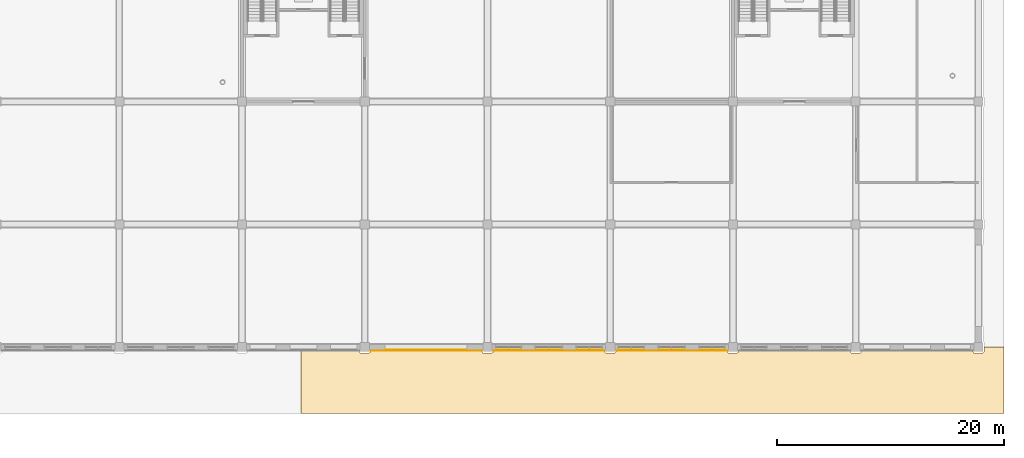
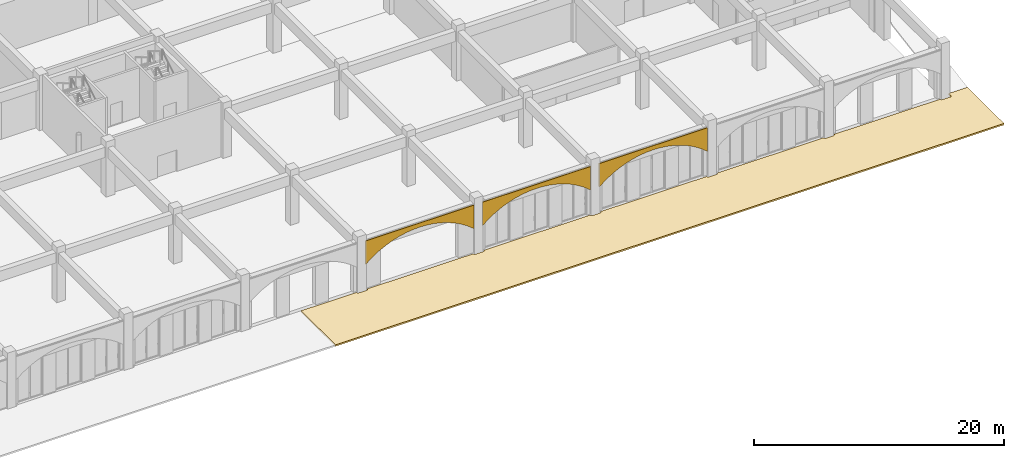
# One storey, part 91 of 101: 4 coverings.
"""IFC4 building model written with IfcOpenShell, lengths in metres."""

from ifc_helpers import new_model, si_unit, direction, frame, origin, place, context, subcontext, project, spatial, polyline, outline, extrude, material, layer, layer_set, type_object, element, save


model = new_model("IFC4")

# Units and contexts
model_context = context("Model", 3, precision=1e-05, world=origin(), true_north=direction((0.0, 1.0)))
body_context = subcontext(model_context, "Body", "Model", "MODEL_VIEW")
ifc_project = project(units=[si_unit("LENGTHUNIT", "METRE"), si_unit("AREAUNIT", "SQUARE_METRE"), si_unit("VOLUMEUNIT", "CUBIC_METRE"), si_unit("PLANEANGLEUNIT", "RADIAN"), si_unit("MASSUNIT", "GRAM", prefix="KILO")], contexts=[model_context])

# Site, building, storey
site_placement = place(None, origin())
site = spatial("IfcSite", under=ifc_project, at=site_placement, CompositionType="ELEMENT")
building_placement = place(site_placement, origin())
building = spatial("IfcBuilding", under=site, at=building_placement, Name="Magnolia Steps Interchange", CompositionType="ELEMENT")
storey_placement = place(building_placement, frame((0.0, 0.0, -5.39990234375)))
storey = spatial("IfcBuildingStorey", under=building, at=storey_placement, Name="B1", CompositionType="ELEMENT", Elevation=-5.39990234375)

# Coverings
ifc_material_1 = material(Name="Lime render")
ifc_layer_1 = layer(ifc_material_1, 0.080078125)
ifc_layer_set_1 = layer_set([ifc_layer_1], Name="Lime render arch infill")
covering_type_1 = type_object("IfcCoveringType", Name="Lime render arch infill", PredefinedType="CLADDING", material=ifc_layer_set_1)
for number, where, z_axis, x_axis, name in (
    (1, (140.0, 9.77490234375, 2.39990234375), (0.0, 1.0, 0.0), (0.0, 0.0, 1.0), "Arch spandrel south edge 10"),
    (2, (150.800048828125, 9.77490234375, 2.39990234375), (0.0, 1.0, 0.0), (0.0, 0.0, 1.0), "Arch spandrel south edge 11"),
    (3, (161.60009765625, 9.77490234375, 2.39990234375), (0.0, 1.0, 0.0), (0.0, 0.0, 1.0), "Arch spandrel south edge 12"),
):
    element("IfcCovering", number, at=place(storey_placement, frame(where, z_axis=z_axis, x_axis=x_axis)), inside=storey, type_object=covering_type_1, Name=name, PredefinedType="CLADDING", context=body_context, shape_type="SweptSolid", body=[
        extrude(outline(polyline([(0.0, 0.0), (2.300048828, 0.0), (2.300048828, 10.0), (0.0, 10.0), (0.498291016, 9.375), (0.899658203, 8.75), (1.220703125, 8.125), (1.472900391, 7.5), (1.662841797, 6.875), (1.795410156, 6.25), (1.874023438, 5.625), (1.899902344, 5.0), (1.874023438, 4.375), (1.795410156, 3.75), (1.662841797, 3.125), (1.472900391, 2.5), (1.220703125, 1.875), (0.899658203, 1.25), (0.498291016, 0.625), (0.0, 0.0)])), origin(), (0.0, 0.0, -1.0), 0.080078125),
    ])
ifc_material_2 = material(Name="Natural stone paving", Category="masonry")
ifc_layer_2 = layer(ifc_material_2, 0.14990234375)
ifc_layer_set_2 = layer_set([ifc_layer_2], Name="Stone paving 150")
covering_type_2 = type_object("IfcCoveringType", Name="Stone paving 150", PredefinedType="FLOORING", material=ifc_layer_set_2)
covering_placement = place(storey_placement, frame((0.0, 0.0, -0.150146484375)))
element("IfcCovering", 4, at=covering_placement, inside=storey, type_object=covering_type_2, Name="Street paving south east", PredefinedType="FLOORING", context=body_context, shape_type="SweptSolid", body=[
    extrude(outline(polyline([(195.85009765625, 4.14990234375), (134.0, 4.14990234375), (134.0, 9.64990234375), (139.10009765625, 9.64990234375), (139.180419921875, 9.501953125), (140.0, 9.5), (140.0830078125, 9.54443359375), (140.10009765625, 9.64990234375), (149.89990234375, 9.64990234375), (149.98046875, 9.501953125), (150.800048828125, 9.5), (150.883056640625, 9.54443359375), (150.89990234375, 9.64990234375), (160.699951171875, 9.64990234375), (160.780517578125, 9.501953125), (161.60009765625, 9.5), (161.68310546875, 9.54443359375), (161.699951171875, 9.64990234375), (171.5, 9.64990234375), (171.58056640625, 9.501953125), (172.39990234375, 9.5), (172.483154296875, 9.54443359375), (172.5, 9.64990234375), (182.300048828125, 9.64990234375), (182.380615234375, 9.501953125), (183.199951171875, 9.5), (183.283203125, 9.54443359375), (183.300048828125, 9.64990234375), (193.10009765625, 9.64990234375), (193.180419921875, 9.501953125), (194.01953125, 9.501953125), (194.099609375, 9.590087890625), (194.099853515625, 10.0), (195.85009765625, 10.0), (195.85009765625, 4.14990234375)])), origin(), (0.0, 0.0, 1.0), 0.150146484375),
])

save(model, "model.ifc")
